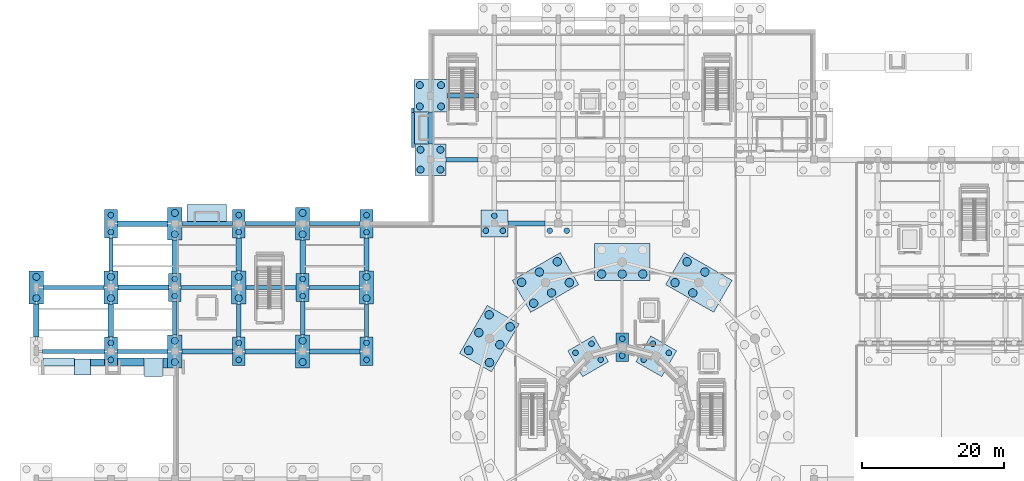
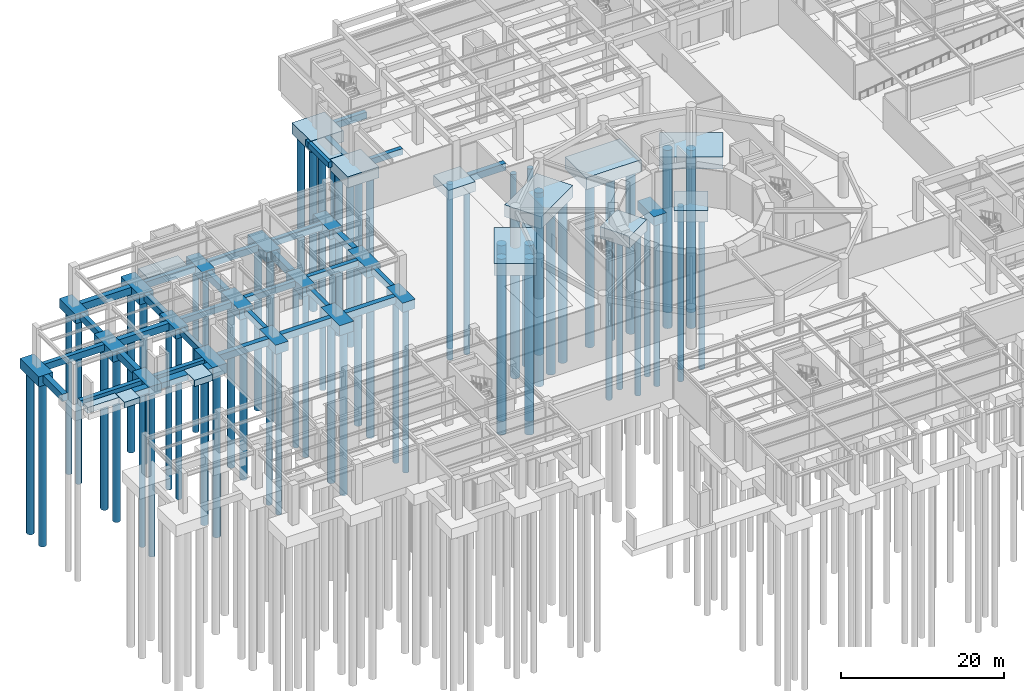
# One storey, part 4 of 36: 72 piles, 65 footings.
"""IFC4 building model written with IfcOpenShell, lengths in metres."""

from ifc_helpers import new_model, si_unit, direction, frame, origin, origin_2d, place, context, subcontext, project, spatial, rectangle, circle, extrude, material, material_profile, profile_set, type_object, element, save


model = new_model("IFC4")

# Units and contexts
model_context = context("Model", 3, precision=1e-05, world=origin(), true_north=direction((0.0, 1.0)))
body_context = subcontext(model_context, "Body", "Model", "MODEL_VIEW")
ifc_project = project(units=[si_unit("LENGTHUNIT", "METRE"), si_unit("AREAUNIT", "SQUARE_METRE"), si_unit("VOLUMEUNIT", "CUBIC_METRE"), si_unit("PLANEANGLEUNIT", "RADIAN"), si_unit("MASSUNIT", "GRAM", prefix="KILO")], contexts=[model_context])

# Site, building, storey
site_placement = place(None, origin())
site = spatial("IfcSite", under=ifc_project, at=site_placement, CompositionType="ELEMENT")
building_placement = place(site_placement, origin())
building = spatial("IfcBuilding", under=site, at=building_placement, Name="Haizhuo Lancet Aquarium", CompositionType="ELEMENT")
storey_placement = place(building_placement, frame((0.0, 0.0, -6.0)))
storey = spatial("IfcBuildingStorey", under=building, at=storey_placement, Name="B1", CompositionType="ELEMENT", Elevation=-6.0)

# Footings
ifc_material = material(Name="Concrete C40/50", Category="concrete")
footing_type_1 = type_object("IfcFootingType", Name="FCAP-PC2A", PredefinedType="PILE_CAP", material=ifc_material)
for number, where, z_axis, x_axis, name in (
    (1, (0.0, 9.60009765625, -1.39990234375), (0.0, 0.0, 1.0), (1.0, 0.0, 0.0), "Pile cap PC-01 16"),
    (2, (-72.0, 9.0, -1.39990234375), (0.0, 0.0, 1.0), (1.0, 0.0, 0.0), "Pile cap PC-01 27"),
    (3, (-72.0, 27.0, -1.39990234375), (0.0, 0.0, 1.0), (1.0, 0.0, 0.0), "Pile cap PC-01 29"),
    (4, (-63.0, 18.0, -1.39990234375), (0.0, 0.0, 1.0), (1.0, 0.0, 0.0), "Pile cap PC-01 31"),
    (5, (-54.0, 9.0, -1.39990234375), (0.0, 0.0, 1.0), (1.0, 0.0, 0.0), "Pile cap PC-01 33"),
    (6, (-54.0, 27.0, -1.39990234375), (0.0, 0.0, 1.0), (1.0, 0.0, 0.0), "Pile cap PC-01 35"),
    (7, (-45.0, 18.0, -1.39990234375), (0.0, 0.0, 1.0), (1.0, 0.0, 0.0), "Pile cap PC-01 37"),
    (8, (-36.0, 9.0, -1.39990234375), (0.0, 0.0, 1.0), (1.0, 0.0, 0.0), "Pile cap PC-01 39"),
    (9, (-36.0, 27.0, -1.39990234375), (0.0, 0.0, 1.0), (1.0, 0.0, 0.0), "Pile cap PC-01 41"),
):
    element("IfcFooting", number, at=place(storey_placement, frame(where, z_axis=z_axis, x_axis=x_axis)), inside=storey, type_object=footing_type_1, Name=name, PredefinedType="PILE_CAP", context=body_context, shape_type="SweptSolid", body=[
        extrude(rectangle(XDim=1.800048828125, YDim=4.0, at=origin_2d()), origin(), (0.0, 0.0, 1.0), 1.39990234375),
    ])
footing_type_2 = type_object("IfcFootingType", Name="FCAP-PC2B", PredefinedType="PILE_CAP", material=ifc_material)
for number, where, z_axis, x_axis, name in (
    (10, (-82.5, 18.0, -1.5), (0.0, 0.0, 1.0), (1.0, 0.0, 0.0), "Pile cap PC-02 26"),
    (11, (-72.0, 18.0, -1.5), (0.0, 0.0, 1.0), (1.0, 0.0, 0.0), "Pile cap PC-02 28"),
    (12, (-63.0, 9.0, -1.5), (0.0, 0.0, 1.0), (1.0, 0.0, 0.0), "Pile cap PC-02 30"),
    (13, (-63.0, 27.0, -1.5), (0.0, 0.0, 1.0), (1.0, 0.0, 0.0), "Pile cap PC-02 32"),
    (14, (-54.0, 18.0, -1.5), (0.0, 0.0, 1.0), (1.0, 0.0, 0.0), "Pile cap PC-02 34"),
    (15, (-45.0, 9.0, -1.5), (0.0, 0.0, 1.0), (1.0, 0.0, 0.0), "Pile cap PC-02 36"),
    (16, (-45.0, 27.0, -1.5), (0.0, 0.0, 1.0), (1.0, 0.0, 0.0), "Pile cap PC-02 38"),
    (17, (-36.0, 18.0, -1.5), (0.0, 0.0, 1.0), (1.0, 0.0, 0.0), "Pile cap PC-02 40"),
):
    element("IfcFooting", number, at=place(storey_placement, frame(where, z_axis=z_axis, x_axis=x_axis)), inside=storey, type_object=footing_type_2, Name=name, PredefinedType="PILE_CAP", context=body_context, shape_type="SweptSolid", body=[
        extrude(rectangle(XDim=2.0, YDim=4.60009765625, at=origin_2d()), origin(), (0.0, 0.0, 1.0), 1.5),
    ])
footing_type_3 = type_object("IfcFootingType", Name="FCAP-PC3A", PredefinedType="PILE_CAP", material=ifc_material)
footing_1_placement = place(storey_placement, frame((-18.0, 27.0, -1.4501953125), z_axis=(0.0, 0.0, 1.0), x_axis=(1.0, 0.0, 0.0)))
element("IfcFooting", 18, at=footing_1_placement, inside=storey, type_object=footing_type_3, Name="Pile cap PC-03 87", PredefinedType="PILE_CAP", context=body_context, shape_type="SweptSolid", body=[
    extrude(rectangle(XDim=3.800048828125, YDim=3.800048828125, at=origin_2d()), origin(), (0.0, 0.0, 1.0), 1.449951171875),
])
footing_type_4 = type_object("IfcFootingType", Name="FCAP-PC4B", PredefinedType="PILE_CAP", material=ifc_material)
footing_2_placement = place(storey_placement, frame((-27.0, 36.0, -1.64990234375), z_axis=(0.0, 0.0, 1.0), x_axis=(1.0, 0.0, 0.0)))
element("IfcFooting", 19, at=footing_2_placement, inside=storey, type_object=footing_type_4, Name="Pile cap PC-05 85", PredefinedType="PILE_CAP", context=body_context, shape_type="SweptSolid", body=[
    extrude(rectangle(XDim=4.39990234375, YDim=4.39990234375, at=origin_2d()), origin(), (0.0, 0.0, 1.0), 1.64990234375),
])
footing_type_5 = type_object("IfcFootingType", Name="FCAP-PC4C", PredefinedType="PILE_CAP", material=ifc_material)
footing_3_placement = place(storey_placement, frame((-27.0, 45.0, -1.7001953125), z_axis=(0.0, 0.0, 1.0), x_axis=(1.0, 0.0, 0.0)))
element("IfcFooting", 20, at=footing_3_placement, inside=storey, type_object=footing_type_5, Name="Pile cap PC-06 86", PredefinedType="PILE_CAP", context=body_context, shape_type="SweptSolid", body=[
    extrude(rectangle(XDim=4.60009765625, YDim=4.60009765625, at=origin_2d()), origin(), (0.0, 0.0, 1.0), 1.699951171875),
])
footing_type_6 = type_object("IfcFootingType", Name="FCAP-PC4D", PredefinedType="PILE_CAP", material=ifc_material)
for number, where, z_axis, x_axis, name in (
    (21, (4.800048828125, 8.31396484375, -1.75), (0.0, 0.0, 1.0), (0.5, 0.866025403784, 0.0), "Pile cap PC-07 15"),
    (22, (-4.800048828125, 8.31396484375, -1.75), (0.0, 0.0, 1.0), (-0.5, 0.866025403784, 0.0), "Pile cap PC-07 17"),
):
    element("IfcFooting", number, at=place(storey_placement, frame(where, z_axis=z_axis, x_axis=x_axis)), inside=storey, type_object=footing_type_6, Name=name, PredefinedType="PILE_CAP", context=body_context, shape_type="SweptSolid", body=[
        extrude(rectangle(XDim=4.199951171875, YDim=4.199951171875, at=origin_2d()), origin(), (0.0, 0.0, 1.0), 1.75),
    ])
footing_type_7 = type_object("IfcFootingType", Name="FCAP-PC6B", PredefinedType="PILE_CAP", material=ifc_material)
for number, where, z_axis, x_axis, name in (
    (23, (10.800048828125, 18.7060546875, -1.7998046875), (0.0, 0.0, 1.0), (0.5, 0.866025403784, 0.0), "Pile cap PC-08 3"),
    (24, (0.0, 21.60009765625, -1.7998046875), (0.0, 0.0, 1.0), (0.0, 1.0, 0.0), "Pile cap PC-08 4"),
    (25, (-10.800048828125, 18.7060546875, -1.7998046875), (0.0, 0.0, 1.0), (-0.5, 0.866025403784, 0.0), "Pile cap PC-08 5"),
    (26, (-18.7060546875, 10.800048828125, -1.7998046875), (0.0, 0.0, 1.0), (-0.866025403784, 0.5, 0.0), "Pile cap PC-08 6"),
):
    element("IfcFooting", number, at=place(storey_placement, frame(where, z_axis=z_axis, x_axis=x_axis)), inside=storey, type_object=footing_type_7, Name=name, PredefinedType="PILE_CAP", context=body_context, shape_type="SweptSolid", body=[
        extrude(rectangle(XDim=5.199951171875, YDim=7.800048828125, at=origin_2d()), origin(), (0.0, 0.0, 1.0), 1.800048828125),
    ])
footing_type_8 = type_object("IfcFootingType", Name="FPAD-2200", PredefinedType="PAD_FOOTING", material=ifc_material)
footing_4_placement = place(storey_placement, frame((-76.0, 6.800048828125, -0.85009765625), z_axis=(0.0, 0.0, 1.0), x_axis=(1.0, 0.0, 0.0)))
element("IfcFooting", 27, at=footing_4_placement, inside=storey, type_object=footing_type_8, Name="Ramp pad footing 1", PredefinedType="PAD_FOOTING", context=body_context, shape_type="SweptSolid", body=[
    extrude(rectangle(XDim=2.199951171875, YDim=2.199951171875, at=origin_2d()), origin(), (0.0, 0.0, 1.0), 0.85009765625),
])
footing_5_placement = place(storey_placement, frame((-79.35009765625, 7.514892578125, -0.85009765625), z_axis=(0.0, 0.0, 1.0), x_axis=(1.0, 0.0, 0.0)))
element("IfcFooting", 28, at=footing_5_placement, inside=storey, type_object=footing_type_8, material=ifc_material, Name="West Avenue Accessible Plinth Ramp RMP-01 mat footing 2", PredefinedType="PAD_FOOTING", context=body_context, shape_type="SweptSolid", body=[
    extrude(rectangle(XDim=4.4599609375, YDim=1.070068359375, at=origin_2d()), origin(), (0.0, 0.0, 1.0), 0.85009765625),
])
footing_6_placement = place(storey_placement, frame((-73.89990234375, 7.449951171875, -0.85009765625), z_axis=(0.0, 0.0, 1.0), x_axis=(1.0, 0.0, 0.0)))
element("IfcFooting", 29, at=footing_6_placement, inside=storey, type_object=footing_type_8, material=ifc_material, Name="West Avenue Accessible Plinth Ramp RMP-01 mat footing 4", PredefinedType="PAD_FOOTING", context=body_context, shape_type="SweptSolid", body=[
    extrude(rectangle(XDim=1.9599609375, YDim=0.93994140625, at=origin_2d()), origin(), (0.0, 0.0, 1.0), 0.85009765625),
])
footing_7_placement = place(storey_placement, frame((-69.199951171875, 7.514892578125, -0.85009765625), z_axis=(0.0, 0.0, 1.0), x_axis=(1.0, 0.0, 0.0)))
element("IfcFooting", 30, at=footing_7_placement, inside=storey, type_object=footing_type_8, material=ifc_material, Name="West Avenue Accessible Plinth Ramp RMP-01 mat footing 5", PredefinedType="PAD_FOOTING", context=body_context, shape_type="SweptSolid", body=[
    extrude(rectangle(XDim=3.760009765625, YDim=1.070068359375, at=origin_2d()), origin(), (0.0, 0.0, 1.0), 0.85009765625),
])
footing_8_placement = place(storey_placement, frame((-64.35009765625, 7.364990234375, -0.85009765625), z_axis=(0.0, 0.0, 1.0), x_axis=(1.0, 0.0, 0.0)))
element("IfcFooting", 31, at=footing_8_placement, inside=storey, type_object=footing_type_8, material=ifc_material, Name="West Avenue Accessible Plinth Ramp RMP-01 mat footing 7", PredefinedType="PAD_FOOTING", context=body_context, shape_type="SweptSolid", body=[
    extrude(rectangle(XDim=0.659912109375, YDim=1.3701171875, at=origin_2d()), origin(), (0.0, 0.0, 1.0), 0.85009765625),
])
footing_9_placement = place(storey_placement, frame((-58.5, 28.510009765625, -0.85009765625), z_axis=(0.0, 0.0, 1.0), x_axis=(1.0, 0.0, 0.0)))
element("IfcFooting", 32, at=footing_9_placement, inside=storey, type_object=footing_type_8, material=ifc_material, Name="Entrance apron footing 1.1", PredefinedType="PAD_FOOTING", context=body_context, shape_type="SweptSolid", body=[
    extrude(rectangle(XDim=5.60009765625, YDim=2.3798828125, at=origin_2d()), origin(), (0.0, 0.0, 1.0), 0.85009765625),
])
footing_10_placement = place(storey_placement, frame((-29.4599609375, 40.18994140625, -0.85009765625), z_axis=(0.0, 0.0, 1.0), x_axis=(1.0, 0.0, 0.0)))
element("IfcFooting", 33, at=footing_10_placement, inside=storey, type_object=footing_type_8, material=ifc_material, Name="Entrance apron footing 2.1", PredefinedType="PAD_FOOTING", context=body_context, shape_type="SweptSolid", body=[
    extrude(rectangle(XDim=0.47998046875, YDim=4.97998046875, at=origin_2d()), origin(), (0.0, 0.0, 1.0), 0.85009765625),
])
footing_11_placement = place(storey_placement, frame((-29.510009765625, 42.989990234375, -0.85009765625), z_axis=(0.0, 0.0, 1.0), x_axis=(1.0, 0.0, 0.0)))
element("IfcFooting", 34, at=footing_11_placement, inside=storey, type_object=footing_type_8, material=ifc_material, Name="Entrance apron footing 2.2", PredefinedType="PAD_FOOTING", context=body_context, shape_type="SweptSolid", body=[
    extrude(rectangle(XDim=0.3798828125, YDim=0.6201171875, at=origin_2d()), origin(), (0.0, 0.0, 1.0), 0.85009765625),
])
footing_12_placement = place(storey_placement, frame((-28.306884765625, 40.449951171875, -0.85009765625), z_axis=(0.0, 0.0, 1.0), x_axis=(1.0, 0.0, 0.0)))
element("IfcFooting", 35, at=footing_12_placement, inside=storey, type_object=footing_type_8, material=ifc_material, Name="Entrance apron footing 2.3", PredefinedType="PAD_FOOTING", context=body_context, shape_type="SweptSolid", body=[
    extrude(rectangle(XDim=1.824951171875, YDim=4.4599609375, at=origin_2d()), origin(), (0.0, 0.0, 1.0), 0.85009765625),
])
footing_type_9 = type_object("IfcFootingType", Name="FPAD-2600", PredefinedType="PAD_FOOTING", material=ifc_material)
footing_13_placement = place(storey_placement, frame((-66.0, 6.800048828125, -0.9501953125), z_axis=(0.0, 0.0, 1.0), x_axis=(1.0, 0.0, 0.0)))
element("IfcFooting", 36, at=footing_13_placement, inside=storey, type_object=footing_type_9, Name="Ramp pad footing 2", PredefinedType="PAD_FOOTING", context=body_context, shape_type="SweptSolid", body=[
    extrude(rectangle(XDim=2.60009765625, YDim=2.60009765625, at=origin_2d()), origin(), (0.0, 0.0, 1.0), 0.949951171875),
])
footing_type_10 = type_object("IfcFootingType", Name="FTB-600x1000", PredefinedType="FOOTING_BEAM", material=ifc_material)
footing_14_placement = place(storey_placement, frame((-77.25, 18.0, -1.0), z_axis=(0.0, 0.0, 1.0), x_axis=(1.0, 0.0, 0.0)))
element("IfcFooting", 37, at=footing_14_placement, inside=storey, type_object=footing_type_10, Name="Foundation tie beam 6", PredefinedType="FOOTING_BEAM", context=body_context, shape_type="SweptSolid", body=[
    extrude(rectangle(XDim=8.5, YDim=0.60009765625, at=origin_2d()), origin(), (0.0, 0.0, 1.0), 1.0),
])
for number, where, z_axis, x_axis, name in (
    (38, (-72.0, 22.64990234375, -1.0), (0.0, 0.0, 1.0), (0.0, 1.0, 0.0), "Foundation tie beam 14"),
    (39, (-63.0, 13.64990234375, -1.0), (0.0, 0.0, 1.0), (0.0, 1.0, 0.0), "Foundation tie beam 22"),
):
    element("IfcFooting", number, at=place(storey_placement, frame(where, z_axis=z_axis, x_axis=x_axis)), inside=storey, type_object=footing_type_10, Name=name, PredefinedType="FOOTING_BEAM", context=body_context, shape_type="SweptSolid", body=[
        extrude(rectangle(XDim=4.699951171875, YDim=0.60009765625, at=origin_2d()), origin(), (0.0, 0.0, 1.0), 1.0),
    ])
footing_15_placement = place(storey_placement, frame((-58.449951171875, 27.0, -1.0), z_axis=(0.0, 0.0, 1.0), x_axis=(1.0, 0.0, 0.0)))
element("IfcFooting", 40, at=footing_15_placement, inside=storey, type_object=footing_type_10, Name="Foundation tie beam 26", PredefinedType="FOOTING_BEAM", context=body_context, shape_type="SweptSolid", body=[
    extrude(rectangle(XDim=7.10009765625, YDim=0.60009765625, at=origin_2d()), origin(), (0.0, 0.0, 1.0), 1.0),
])
footing_16_placement = place(storey_placement, frame((-54.0, 13.35009765625, -1.0), z_axis=(0.0, 0.0, 1.0), x_axis=(0.0, 1.0, 0.0)))
element("IfcFooting", 41, at=footing_16_placement, inside=storey, type_object=footing_type_10, Name="Foundation tie beam 34", PredefinedType="FOOTING_BEAM", context=body_context, shape_type="SweptSolid", body=[
    extrude(rectangle(XDim=4.699951171875, YDim=0.60009765625, at=origin_2d()), origin(), (0.0, 0.0, 1.0), 1.0),
])
footing_17_placement = place(storey_placement, frame((-49.550048828125, 27.0, -1.0), z_axis=(0.0, 0.0, 1.0), x_axis=(1.0, 0.0, 0.0)))
element("IfcFooting", 42, at=footing_17_placement, inside=storey, type_object=footing_type_10, Name="Foundation tie beam 38", PredefinedType="FOOTING_BEAM", context=body_context, shape_type="SweptSolid", body=[
    extrude(rectangle(XDim=7.10009765625, YDim=0.60009765625, at=origin_2d()), origin(), (0.0, 0.0, 1.0), 1.0),
])
footing_18_placement = place(storey_placement, frame((-45.0, 13.64990234375, -1.0), z_axis=(0.0, 0.0, 1.0), x_axis=(0.0, 1.0, 0.0)))
element("IfcFooting", 43, at=footing_18_placement, inside=storey, type_object=footing_type_10, Name="Foundation tie beam 46", PredefinedType="FOOTING_BEAM", context=body_context, shape_type="SweptSolid", body=[
    extrude(rectangle(XDim=4.699951171875, YDim=0.60009765625, at=origin_2d()), origin(), (0.0, 0.0, 1.0), 1.0),
])
footing_19_placement = place(storey_placement, frame((-40.449951171875, 27.0, -1.0), z_axis=(0.0, 0.0, 1.0), x_axis=(1.0, 0.0, 0.0)))
element("IfcFooting", 44, at=footing_19_placement, inside=storey, type_object=footing_type_10, Name="Foundation tie beam 50", PredefinedType="FOOTING_BEAM", context=body_context, shape_type="SweptSolid", body=[
    extrude(rectangle(XDim=7.10009765625, YDim=0.60009765625, at=origin_2d()), origin(), (0.0, 0.0, 1.0), 1.0),
])
footing_20_placement = place(storey_placement, frame((-36.0, 13.35009765625, -1.0), z_axis=(0.0, 0.0, 1.0), x_axis=(0.0, 1.0, 0.0)))
element("IfcFooting", 45, at=footing_20_placement, inside=storey, type_object=footing_type_10, Name="Foundation tie beam 54", PredefinedType="FOOTING_BEAM", context=body_context, shape_type="SweptSolid", body=[
    extrude(rectangle(XDim=4.699951171875, YDim=0.60009765625, at=origin_2d()), origin(), (0.0, 0.0, 1.0), 1.0),
])
footing_21_placement = place(storey_placement, frame((-22.449951171875, 45.0, -1.0), z_axis=(0.0, 0.0, 1.0), x_axis=(1.0, 0.0, 0.0)))
element("IfcFooting", 46, at=footing_21_placement, inside=storey, type_object=footing_type_10, Name="Foundation tie beam 58", PredefinedType="FOOTING_BEAM", context=body_context, shape_type="SweptSolid", body=[
    extrude(rectangle(XDim=4.5, YDim=0.60009765625, at=origin_2d()), origin(), (0.0, 0.0, 1.0), 1.0),
])
footing_type_11 = type_object("IfcFootingType", Name="FTB-600x900", PredefinedType="FOOTING_BEAM", material=ifc_material)
footing_22_placement = place(storey_placement, frame((-77.25, 9.0, -0.89990234375), z_axis=(0.0, 0.0, 1.0), x_axis=(1.0, 0.0, 0.0)))
element("IfcFooting", 47, at=footing_22_placement, inside=storey, type_object=footing_type_11, Name="Foundation tie beam 5", PredefinedType="FOOTING_BEAM", context=body_context, shape_type="SweptSolid", body=[
    extrude(rectangle(XDim=8.699951171875, YDim=0.60009765625, at=origin_2d()), origin(), (0.0, 0.0, 1.0), 0.89990234375),
])
for number, where, z_axis, x_axis, name in (
    (48, (-67.550048828125, 9.0, -0.89990234375), (0.0, 0.0, 1.0), (1.0, 0.0, 0.0), "Foundation tie beam 13"),
    (49, (-58.550048828125, 18.0, -0.89990234375), (0.0, 0.0, 1.0), (1.0, 0.0, 0.0), "Foundation tie beam 25"),
    (50, (-49.449951171875, 18.0, -0.89990234375), (0.0, 0.0, 1.0), (1.0, 0.0, 0.0), "Foundation tie beam 37"),
    (51, (-40.550048828125, 18.0, -0.89990234375), (0.0, 0.0, 1.0), (1.0, 0.0, 0.0), "Foundation tie beam 49"),
):
    element("IfcFooting", number, at=place(storey_placement, frame(where, z_axis=z_axis, x_axis=x_axis)), inside=storey, type_object=footing_type_11, Name=name, PredefinedType="FOOTING_BEAM", context=body_context, shape_type="SweptSolid", body=[
        extrude(rectangle(XDim=7.10009765625, YDim=0.60009765625, at=origin_2d()), origin(), (0.0, 0.0, 1.0), 0.89990234375),
    ])
footing_23_placement = place(storey_placement, frame((-22.550048828125, 36.0, -0.89990234375), z_axis=(0.0, 0.0, 1.0), x_axis=(1.0, 0.0, 0.0)))
element("IfcFooting", 52, at=footing_23_placement, inside=storey, type_object=footing_type_11, Name="Foundation tie beam 57", PredefinedType="FOOTING_BEAM", context=body_context, shape_type="SweptSolid", body=[
    extrude(rectangle(XDim=4.5, YDim=0.60009765625, at=origin_2d()), origin(), (0.0, 0.0, 1.0), 0.89990234375),
])
footing_type_12 = type_object("IfcFootingType", Name="FTB-700x1050", PredefinedType="FOOTING_BEAM", material=ifc_material)
for number, where, z_axis, x_axis, name in (
    (53, (-67.449951171875, 18.0, -1.0498046875), (0.0, 0.0, 1.0), (1.0, 0.0, 0.0), "Foundation tie beam 15"),
    (54, (-58.449951171875, 9.0, -1.0498046875), (0.0, 0.0, 1.0), (1.0, 0.0, 0.0), "Foundation tie beam 23"),
    (55, (-49.550048828125, 9.0, -1.0498046875), (0.0, 0.0, 1.0), (1.0, 0.0, 0.0), "Foundation tie beam 35"),
    (56, (-40.449951171875, 9.0, -1.0498046875), (0.0, 0.0, 1.0), (1.0, 0.0, 0.0), "Foundation tie beam 47"),
):
    element("IfcFooting", number, at=place(storey_placement, frame(where, z_axis=z_axis, x_axis=x_axis)), inside=storey, type_object=footing_type_12, Name=name, PredefinedType="FOOTING_BEAM", context=body_context, shape_type="SweptSolid", body=[
        extrude(rectangle(XDim=7.10009765625, YDim=0.699951171875, at=origin_2d()), origin(), (0.0, 0.0, 1.0), 1.050048828125),
    ])
footing_24_placement = place(storey_placement, frame((-36.0, 22.64990234375, -1.0498046875), z_axis=(0.0, 0.0, 1.0), x_axis=(0.0, 1.0, 0.0)))
element("IfcFooting", 57, at=footing_24_placement, inside=storey, type_object=footing_type_12, Name="Foundation tie beam 55", PredefinedType="FOOTING_BEAM", context=body_context, shape_type="SweptSolid", body=[
    extrude(rectangle(XDim=4.699951171875, YDim=0.699951171875, at=origin_2d()), origin(), (0.0, 0.0, 1.0), 1.050048828125),
])
footing_25_placement = place(storey_placement, frame((-13.5, 27.0, -1.0498046875), z_axis=(0.0, 0.0, 1.0), x_axis=(1.0, 0.0, 0.0)))
element("IfcFooting", 58, at=footing_25_placement, inside=storey, type_object=footing_type_12, Name="Foundation tie beam 67", PredefinedType="FOOTING_BEAM", context=body_context, shape_type="SweptSolid", body=[
    extrude(rectangle(XDim=5.199951171875, YDim=0.699951171875, at=origin_2d()), origin(), (0.0, 0.0, 1.0), 1.050048828125),
])
footing_type_13 = type_object("IfcFootingType", Name="FTB-750x1100", PredefinedType="FOOTING_BEAM", material=ifc_material)
for number, where, z_axis, x_axis, name in (
    (59, (-82.5, 13.35009765625, -1.10009765625), (0.0, 0.0, 1.0), (0.0, 1.0, 0.0), "Foundation tie beam 4"),
    (60, (-72.0, 13.35009765625, -1.10009765625), (0.0, 0.0, 1.0), (0.0, 1.0, 0.0), "Foundation tie beam 12"),
):
    element("IfcFooting", number, at=place(storey_placement, frame(where, z_axis=z_axis, x_axis=x_axis)), inside=storey, type_object=footing_type_13, Name=name, PredefinedType="FOOTING_BEAM", context=body_context, shape_type="SweptSolid", body=[
        extrude(rectangle(XDim=4.699951171875, YDim=0.75, at=origin_2d()), origin(), (0.0, 0.0, 1.0), 1.10009765625),
    ])
footing_26_placement = place(storey_placement, frame((-67.550048828125, 27.0, -1.10009765625), z_axis=(0.0, 0.0, 1.0), x_axis=(1.0, 0.0, 0.0)))
element("IfcFooting", 61, at=footing_26_placement, inside=storey, type_object=footing_type_13, Name="Foundation tie beam 16", PredefinedType="FOOTING_BEAM", context=body_context, shape_type="SweptSolid", body=[
    extrude(rectangle(XDim=7.10009765625, YDim=0.75, at=origin_2d()), origin(), (0.0, 0.0, 1.0), 1.10009765625),
])
for number, where, z_axis, x_axis, name in (
    (62, (-63.0, 22.35009765625, -1.10009765625), (0.0, 0.0, 1.0), (0.0, 1.0, 0.0), "Foundation tie beam 24"),
    (63, (-54.0, 22.64990234375, -1.10009765625), (0.0, 0.0, 1.0), (0.0, 1.0, 0.0), "Foundation tie beam 36"),
    (64, (-45.0, 22.35009765625, -1.10009765625), (0.0, 0.0, 1.0), (0.0, 1.0, 0.0), "Foundation tie beam 48"),
):
    element("IfcFooting", number, at=place(storey_placement, frame(where, z_axis=z_axis, x_axis=x_axis)), inside=storey, type_object=footing_type_13, Name=name, PredefinedType="FOOTING_BEAM", context=body_context, shape_type="SweptSolid", body=[
        extrude(rectangle(XDim=4.699951171875, YDim=0.75, at=origin_2d()), origin(), (0.0, 0.0, 1.0), 1.10009765625),
    ])
footing_27_placement = place(storey_placement, frame((-27.0, 40.449951171875, -1.10009765625), z_axis=(0.0, 0.0, 1.0), x_axis=(0.0, 1.0, 0.0)))
element("IfcFooting", 65, at=footing_27_placement, inside=storey, type_object=footing_type_13, Name="Foundation tie beam 56", PredefinedType="FOOTING_BEAM", context=body_context, shape_type="SweptSolid", body=[
    extrude(rectangle(XDim=4.5, YDim=0.75, at=origin_2d()), origin(), (0.0, 0.0, 1.0), 1.10009765625),
])

# Piles
ifc_material_profile_1 = material_profile(ifc_material, circle(Radius=0.5, at=origin_2d()), Name="PILE-1000")
ifc_profile_set_1 = profile_set([ifc_material_profile_1], Name="Concrete C40/50")
pile_type_1 = type_object("IfcPileType", Name="PILE-BORED-1000", PredefinedType="BORED", material=ifc_profile_set_1)
for number, where, z_axis, x_axis, name in (
    (66, (-82.5, 16.5, -1.35009765625), (0.0, 0.0, -1.0), (1.0, 0.0, 0.0), "Bored pile P-02 26.1"),
    (67, (-82.5, 19.5, -1.35009765625), (0.0, 0.0, -1.0), (1.0, 0.0, 0.0), "Bored pile P-02 26.2"),
    (68, (-72.0, 16.5, -1.35009765625), (0.0, 0.0, -1.0), (1.0, 0.0, 0.0), "Bored pile P-02 28.1"),
    (69, (-72.0, 19.5, -1.35009765625), (0.0, 0.0, -1.0), (1.0, 0.0, 0.0), "Bored pile P-02 28.2"),
    (70, (-63.0, 7.5, -1.35009765625), (0.0, 0.0, -1.0), (1.0, 0.0, 0.0), "Bored pile P-02 30.1"),
    (71, (-63.0, 10.5, -1.35009765625), (0.0, 0.0, -1.0), (1.0, 0.0, 0.0), "Bored pile P-02 30.2"),
    (72, (-63.0, 25.5, -1.35009765625), (0.0, 0.0, -1.0), (1.0, 0.0, 0.0), "Bored pile P-02 32.1"),
    (73, (-63.0, 28.5, -1.35009765625), (0.0, 0.0, -1.0), (1.0, 0.0, 0.0), "Bored pile P-02 32.2"),
    (74, (-54.0, 16.5, -1.35009765625), (0.0, 0.0, -1.0), (1.0, 0.0, 0.0), "Bored pile P-02 34.1"),
    (75, (-54.0, 19.5, -1.35009765625), (0.0, 0.0, -1.0), (1.0, 0.0, 0.0), "Bored pile P-02 34.2"),
    (76, (-45.0, 7.5, -1.35009765625), (0.0, 0.0, -1.0), (1.0, 0.0, 0.0), "Bored pile P-02 36.1"),
    (77, (-45.0, 10.5, -1.35009765625), (0.0, 0.0, -1.0), (1.0, 0.0, 0.0), "Bored pile P-02 36.2"),
    (78, (-45.0, 25.5, -1.35009765625), (0.0, 0.0, -1.0), (1.0, 0.0, 0.0), "Bored pile P-02 38.1"),
    (79, (-45.0, 28.5, -1.35009765625), (0.0, 0.0, -1.0), (1.0, 0.0, 0.0), "Bored pile P-02 38.2"),
    (80, (-36.0, 16.5, -1.35009765625), (0.0, 0.0, -1.0), (1.0, 0.0, 0.0), "Bored pile P-02 40.1"),
    (81, (-36.0, 19.5, -1.35009765625), (0.0, 0.0, -1.0), (1.0, 0.0, 0.0), "Bored pile P-02 40.2"),
):
    element("IfcPile", number, at=place(storey_placement, frame(where, z_axis=z_axis, x_axis=x_axis)), inside=storey, type_object=pile_type_1, Name=name, PredefinedType="BORED", context=body_context, shape_type="SweptSolid", body=[
        extrude(circle(Radius=0.5, at=origin_2d()), origin(), (0.0, 0.0, 1.0), 24.64990234375),
    ])
for number, where, z_axis, x_axis, name in (
    (82, (-28.39990234375, 34.60009765625, -1.5), (0.0, 0.0, -1.0), (1.0, 0.0, 0.0), "Bored pile P-02 85.1"),
    (83, (-25.60009765625, 34.60009765625, -1.5), (0.0, 0.0, -1.0), (1.0, 0.0, 0.0), "Bored pile P-02 85.2"),
    (84, (-28.39990234375, 37.39990234375, -1.5), (0.0, 0.0, -1.0), (1.0, 0.0, 0.0), "Bored pile P-02 85.3"),
    (85, (-25.60009765625, 37.39990234375, -1.5), (0.0, 0.0, -1.0), (1.0, 0.0, 0.0), "Bored pile P-02 85.4"),
):
    element("IfcPile", number, at=place(storey_placement, frame(where, z_axis=z_axis, x_axis=x_axis)), inside=storey, type_object=pile_type_1, Name=name, PredefinedType="BORED", context=body_context, shape_type="SweptSolid", body=[
        extrude(circle(Radius=0.5, at=origin_2d()), origin(), (0.0, 0.0, 1.0), 24.5),
    ])
for number, where, z_axis, x_axis, name in (
    (86, (-28.5, 43.5, -1.550048828125), (0.0, 0.0, -1.0), (1.0, 0.0, 0.0), "Bored pile P-02 86.1"),
    (87, (-25.5, 43.5, -1.550048828125), (0.0, 0.0, -1.0), (1.0, 0.0, 0.0), "Bored pile P-02 86.2"),
    (88, (-28.5, 46.5, -1.550048828125), (0.0, 0.0, -1.0), (1.0, 0.0, 0.0), "Bored pile P-02 86.3"),
    (89, (-25.5, 46.5, -1.550048828125), (0.0, 0.0, -1.0), (1.0, 0.0, 0.0), "Bored pile P-02 86.4"),
):
    element("IfcPile", number, at=place(storey_placement, frame(where, z_axis=z_axis, x_axis=x_axis)), inside=storey, type_object=pile_type_1, Name=name, PredefinedType="BORED", context=body_context, shape_type="SweptSolid", body=[
        extrude(circle(Radius=0.5, at=origin_2d()), origin(), (0.0, 0.0, 1.0), 24.449951171875),
    ])
ifc_material_profile_2 = material_profile(ifc_material, circle(Radius=0.60009765625, at=origin_2d()), Name="PILE-1200")
ifc_profile_set_2 = profile_set([ifc_material_profile_2], Name="Concrete C40/50")
pile_type_2 = type_object("IfcPileType", Name="PILE-BORED-1200", PredefinedType="BORED", material=ifc_profile_set_2)
for number, where, z_axis, x_axis, name in (
    (90, (9.949951171875, 17.23388671875, -1.64990234375), (0.0, 0.0, -1.0), (1.0, 0.0, 0.0), "Bored pile P-03 3.3"),
    (91, (11.64990234375, 20.177978515625, -1.64990234375), (0.0, 0.0, -1.0), (1.0, 0.0, 0.0), "Bored pile P-03 3.4"),
    (92, (7.43896484375, 18.68408203125, -1.64990234375), (0.0, 0.0, -1.0), (1.0, 0.0, 0.0), "Bored pile P-03 3.5"),
    (93, (9.138916015625, 21.6279296875, -1.64990234375), (0.0, 0.0, -1.0), (1.0, 0.0, 0.0), "Bored pile P-03 3.6"),
    (94, (2.89990234375, 19.89990234375, -1.64990234375), (0.0, 0.0, -1.0), (1.0, 0.0, 0.0), "Bored pile P-03 4.1"),
    (95, (0.0, 19.89990234375, -1.64990234375), (0.0, 0.0, -1.0), (1.0, 0.0, 0.0), "Bored pile P-03 4.3"),
    (96, (-2.89990234375, 19.89990234375, -1.64990234375), (0.0, 0.0, -1.0), (1.0, 0.0, 0.0), "Bored pile P-03 4.5"),
    (97, (-7.43896484375, 18.68408203125, -1.64990234375), (0.0, 0.0, -1.0), (1.0, 0.0, 0.0), "Bored pile P-03 5.1"),
    (98, (-9.138916015625, 21.6279296875, -1.64990234375), (0.0, 0.0, -1.0), (1.0, 0.0, 0.0), "Bored pile P-03 5.2"),
    (99, (-9.949951171875, 17.23388671875, -1.64990234375), (0.0, 0.0, -1.0), (1.0, 0.0, 0.0), "Bored pile P-03 5.3"),
    (100, (-11.64990234375, 20.177978515625, -1.64990234375), (0.0, 0.0, -1.0), (1.0, 0.0, 0.0), "Bored pile P-03 5.4"),
    (101, (-12.4609375, 15.783935546875, -1.64990234375), (0.0, 0.0, -1.0), (1.0, 0.0, 0.0), "Bored pile P-03 5.5"),
    (102, (-14.160888671875, 18.72802734375, -1.64990234375), (0.0, 0.0, -1.0), (1.0, 0.0, 0.0), "Bored pile P-03 5.6"),
    (103, (-15.783935546875, 12.4609375, -1.64990234375), (0.0, 0.0, -1.0), (1.0, 0.0, 0.0), "Bored pile P-03 6.1"),
    (104, (-18.72802734375, 14.160888671875, -1.64990234375), (0.0, 0.0, -1.0), (1.0, 0.0, 0.0), "Bored pile P-03 6.2"),
    (105, (-17.23388671875, 9.949951171875, -1.64990234375), (0.0, 0.0, -1.0), (1.0, 0.0, 0.0), "Bored pile P-03 6.3"),
    (106, (-20.177978515625, 11.64990234375, -1.64990234375), (0.0, 0.0, -1.0), (1.0, 0.0, 0.0), "Bored pile P-03 6.4"),
    (107, (-18.68408203125, 7.43896484375, -1.64990234375), (0.0, 0.0, -1.0), (1.0, 0.0, 0.0), "Bored pile P-03 6.5"),
    (108, (-21.6279296875, 9.138916015625, -1.64990234375), (0.0, 0.0, -1.0), (1.0, 0.0, 0.0), "Bored pile P-03 6.6"),
):
    element("IfcPile", number, at=place(storey_placement, frame(where, z_axis=z_axis, x_axis=x_axis)), inside=storey, type_object=pile_type_2, Name=name, PredefinedType="BORED", context=body_context, shape_type="SweptSolid", body=[
        extrude(circle(Radius=0.60009765625, at=origin_2d()), origin(), (0.0, 0.0, 1.0), 24.35009765625),
    ])
ifc_material_profile_3 = material_profile(ifc_material, circle(Radius=0.39990234375, at=origin_2d()), Name="PILE-800")
ifc_profile_set_3 = profile_set([ifc_material_profile_3], Name="Concrete C40/50")
pile_type_3 = type_object("IfcPileType", Name="PILE-BORED-800", PredefinedType="BORED", material=ifc_profile_set_3)
for number, where, z_axis, x_axis, name in (
    (109, (6.575927734375, 8.7900390625, -1.60009765625), (0.0, 0.0, -1.0), (1.0, 0.0, 0.0), "Bored pile P-01 15.2"),
    (110, (3.02392578125, 7.837890625, -1.60009765625), (0.0, 0.0, -1.0), (1.0, 0.0, 0.0), "Bored pile P-01 15.3"),
    (111, (4.323974609375, 10.090087890625, -1.60009765625), (0.0, 0.0, -1.0), (1.0, 0.0, 0.0), "Bored pile P-01 15.4"),
):
    element("IfcPile", number, at=place(storey_placement, frame(where, z_axis=z_axis, x_axis=x_axis)), inside=storey, type_object=pile_type_3, Name=name, PredefinedType="BORED", context=body_context, shape_type="SweptSolid", body=[
        extrude(circle(Radius=0.39990234375, at=origin_2d()), origin(), (0.0, 0.0, 1.0), 24.39990234375),
    ])
for number, where, z_axis, x_axis, name in (
    (112, (0.0, 8.39990234375, -1.25), (0.0, 0.0, -1.0), (1.0, 0.0, 0.0), "Bored pile P-01 16.1"),
    (113, (0.0, 10.800048828125, -1.25), (0.0, 0.0, -1.0), (1.0, 0.0, 0.0), "Bored pile P-01 16.2"),
):
    element("IfcPile", number, at=place(storey_placement, frame(where, z_axis=z_axis, x_axis=x_axis)), inside=storey, type_object=pile_type_3, Name=name, PredefinedType="BORED", context=body_context, shape_type="SweptSolid", body=[
        extrude(circle(Radius=0.39990234375, at=origin_2d()), origin(), (0.0, 0.0, 1.0), 24.75),
    ])
for number, where, z_axis, x_axis, name in (
    (114, (-3.02392578125, 7.837890625, -1.60009765625), (0.0, 0.0, -1.0), (1.0, 0.0, 0.0), "Bored pile P-01 17.1"),
    (115, (-4.323974609375, 10.090087890625, -1.60009765625), (0.0, 0.0, -1.0), (1.0, 0.0, 0.0), "Bored pile P-01 17.2"),
    (116, (-6.575927734375, 8.7900390625, -1.60009765625), (0.0, 0.0, -1.0), (1.0, 0.0, 0.0), "Bored pile P-01 17.4"),
):
    element("IfcPile", number, at=place(storey_placement, frame(where, z_axis=z_axis, x_axis=x_axis)), inside=storey, type_object=pile_type_3, Name=name, PredefinedType="BORED", context=body_context, shape_type="SweptSolid", body=[
        extrude(circle(Radius=0.39990234375, at=origin_2d()), origin(), (0.0, 0.0, 1.0), 24.39990234375),
    ])
for number, where, z_axis, x_axis, name in (
    (117, (-72.0, 7.800048828125, -1.25), (0.0, 0.0, -1.0), (1.0, 0.0, 0.0), "Bored pile P-01 27.1"),
    (118, (-72.0, 10.199951171875, -1.25), (0.0, 0.0, -1.0), (1.0, 0.0, 0.0), "Bored pile P-01 27.2"),
    (119, (-72.0, 25.800048828125, -1.25), (0.0, 0.0, -1.0), (1.0, 0.0, 0.0), "Bored pile P-01 29.1"),
    (120, (-72.0, 28.199951171875, -1.25), (0.0, 0.0, -1.0), (1.0, 0.0, 0.0), "Bored pile P-01 29.2"),
    (121, (-63.0, 16.800048828125, -1.25), (0.0, 0.0, -1.0), (1.0, 0.0, 0.0), "Bored pile P-01 31.1"),
    (122, (-63.0, 19.199951171875, -1.25), (0.0, 0.0, -1.0), (1.0, 0.0, 0.0), "Bored pile P-01 31.2"),
    (123, (-54.0, 7.800048828125, -1.25), (0.0, 0.0, -1.0), (1.0, 0.0, 0.0), "Bored pile P-01 33.1"),
    (124, (-54.0, 10.199951171875, -1.25), (0.0, 0.0, -1.0), (1.0, 0.0, 0.0), "Bored pile P-01 33.2"),
    (125, (-54.0, 25.800048828125, -1.25), (0.0, 0.0, -1.0), (1.0, 0.0, 0.0), "Bored pile P-01 35.1"),
    (126, (-54.0, 28.199951171875, -1.25), (0.0, 0.0, -1.0), (1.0, 0.0, 0.0), "Bored pile P-01 35.2"),
    (127, (-45.0, 16.800048828125, -1.25), (0.0, 0.0, -1.0), (1.0, 0.0, 0.0), "Bored pile P-01 37.1"),
    (128, (-45.0, 19.199951171875, -1.25), (0.0, 0.0, -1.0), (1.0, 0.0, 0.0), "Bored pile P-01 37.2"),
    (129, (-36.0, 7.800048828125, -1.25), (0.0, 0.0, -1.0), (1.0, 0.0, 0.0), "Bored pile P-01 39.1"),
    (130, (-36.0, 10.199951171875, -1.25), (0.0, 0.0, -1.0), (1.0, 0.0, 0.0), "Bored pile P-01 39.2"),
    (131, (-36.0, 25.800048828125, -1.25), (0.0, 0.0, -1.0), (1.0, 0.0, 0.0), "Bored pile P-01 41.1"),
    (132, (-36.0, 28.199951171875, -1.25), (0.0, 0.0, -1.0), (1.0, 0.0, 0.0), "Bored pile P-01 41.2"),
):
    element("IfcPile", number, at=place(storey_placement, frame(where, z_axis=z_axis, x_axis=x_axis)), inside=storey, type_object=pile_type_3, Name=name, PredefinedType="BORED", context=body_context, shape_type="SweptSolid", body=[
        extrude(circle(Radius=0.39990234375, at=origin_2d()), origin(), (0.0, 0.0, 1.0), 24.75),
    ])
for number, where, z_axis, x_axis, name in (
    (133, (-19.199951171875, 26.0, -1.300048828125), (0.0, 0.0, -1.0), (1.0, 0.0, 0.0), "Bored pile P-01 87.1"),
    (134, (-16.800048828125, 26.0, -1.300048828125), (0.0, 0.0, -1.0), (1.0, 0.0, 0.0), "Bored pile P-01 87.2"),
    (135, (-18.0, 28.10009765625, -1.300048828125), (0.0, 0.0, -1.0), (1.0, 0.0, 0.0), "Bored pile P-01 87.3"),
    (136, (-10.199951171875, 26.0, -1.300048828125), (0.0, 0.0, -1.0), (1.0, 0.0, 0.0), "Bored pile P-01 91.1"),
    (137, (-7.800048828125, 26.0, -1.300048828125), (0.0, 0.0, -1.0), (1.0, 0.0, 0.0), "Bored pile P-01 91.2"),
):
    element("IfcPile", number, at=place(storey_placement, frame(where, z_axis=z_axis, x_axis=x_axis)), inside=storey, type_object=pile_type_3, Name=name, PredefinedType="BORED", context=body_context, shape_type="SweptSolid", body=[
        extrude(circle(Radius=0.39990234375, at=origin_2d()), origin(), (0.0, 0.0, 1.0), 24.699951171875),
    ])

save(model, "model.ifc")
